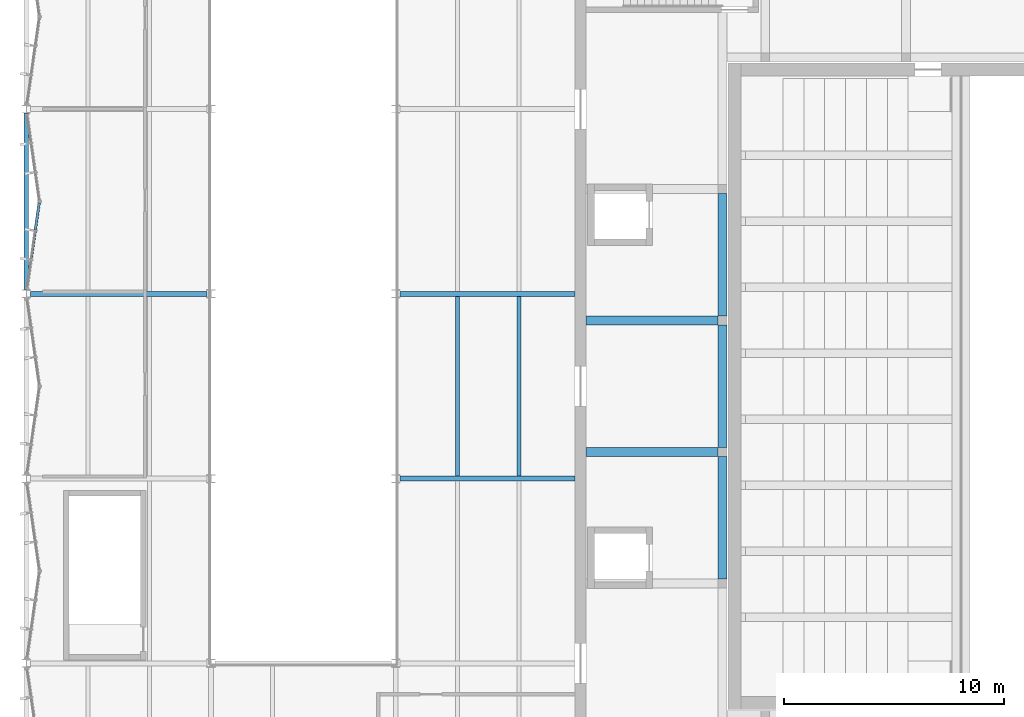
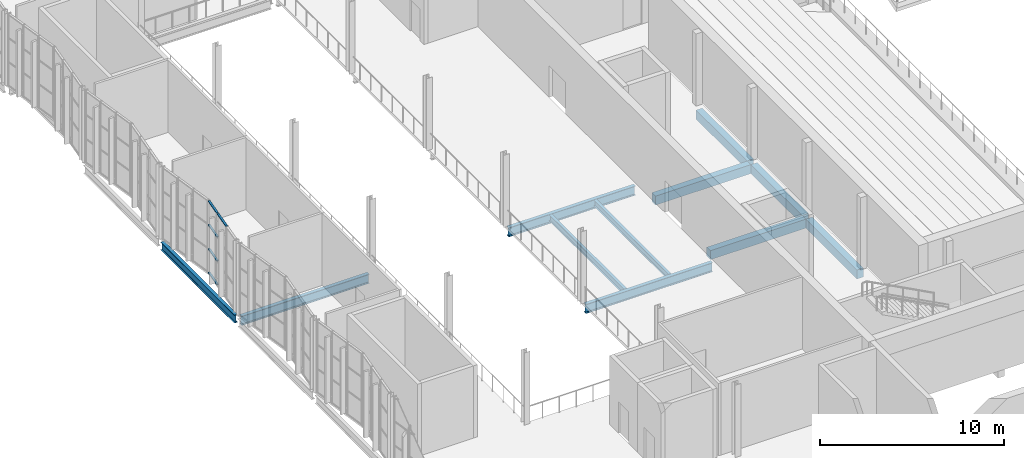
# One storey, part 31 of 116: 11 beams, 5 members, 1 element without a shape of its own.
"""IFC4 building model written with IfcOpenShell, lengths in metres."""

from ifc_helpers import new_model, si_unit, direction, frame, origin, origin_2d, place, context, subcontext, project, spatial, rectangle, i_section, extrude, material, material_profile, profile_set, type_object, element, aggregate, save


model = new_model("IFC4")

# Units and contexts
model_context = context("Model", 3, precision=1e-05, world=origin(), true_north=direction((0.0, 1.0)))
body_context = subcontext(model_context, "Body", "Model", "MODEL_VIEW")
ifc_project = project(units=[si_unit("LENGTHUNIT", "METRE"), si_unit("AREAUNIT", "SQUARE_METRE"), si_unit("VOLUMEUNIT", "CUBIC_METRE"), si_unit("PLANEANGLEUNIT", "RADIAN"), si_unit("MASSUNIT", "GRAM", prefix="KILO")], contexts=[model_context])

# Site, building, storey
site_placement = place(None, origin())
site = spatial("IfcSite", under=ifc_project, at=site_placement, CompositionType="ELEMENT")
building_placement = place(site_placement, origin())
building = spatial("IfcBuilding", under=site, at=building_placement, Name="Ljudholm Concert House", CompositionType="ELEMENT")
storey_placement = place(building_placement, frame((0.0, 0.0, 10.199951171875)))
storey = spatial("IfcBuildingStorey", under=building, at=storey_placement, Name="L02", CompositionType="ELEMENT", Elevation=10.199951171875)

# Beams
ifc_material_1 = material(Name="Concrete 6,500 psi", Category="concrete")
ifc_material_profile_1 = material_profile(ifc_material_1, rectangle(XDim=0.39990234375, YDim=0.60009765625, at=origin_2d()), Name="RC BEAM 400x600")
ifc_profile_set_1 = profile_set([ifc_material_profile_1], Name="Concrete 6,500 psi")
beam_type_1 = type_object("IfcBeamType", Name="RC BEAM 400x600", PredefinedType="BEAM", material=ifc_profile_set_1)
beam_1_placement = place(storey_placement, frame((35.64990234375, 66.6298828125, -0.550048828125), z_axis=(0.0, 1.0, 0.0), x_axis=(-1.0, 0.0, 0.0)))
element("IfcBeam", 1, at=beam_1_placement, inside=storey, type_object=beam_type_1, Name="Ring beam", PredefinedType="BEAM", context=body_context, shape_type="SweptSolid", body=[
    extrude(rectangle(XDim=0.39990234375, YDim=0.60009765625, at=origin_2d()), origin(), (0.0, 0.0, 1.0), 5.580078125),
])
for number, where, z_axis, x_axis, name in (
    (2, (35.64990234375, 72.610107421875, -0.550048828125), (0.0, 1.0, 0.0), (-1.0, 0.0, 0.0), "Ring beam"),
    (3, (35.64990234375, 78.590087890625, -0.550048828125), (0.0, 1.0, 0.0), (-1.0, 0.0, 0.0), "Ring beam"),
):
    element("IfcBeam", number, at=place(storey_placement, frame(where, z_axis=z_axis, x_axis=x_axis)), inside=storey, type_object=beam_type_1, Name=name, PredefinedType="BEAM", context=body_context, shape_type="SweptSolid", body=[
        extrude(rectangle(XDim=0.39990234375, YDim=0.60009765625, at=origin_2d()), origin(), (0.0, 0.0, 1.0), 5.579833984375),
    ])
for number, where, z_axis, x_axis, name in (
    (4, (35.449951171875, 72.409912109375, -0.550048828125), (-1.0, 0.0, 0.0), (0.0, -1.0, 0.0), "Ring cross beam"),
    (5, (35.449951171875, 78.389892578125, -0.550048828125), (-1.0, 0.0, 0.0), (0.0, -1.0, 0.0), "Ring cross beam"),
):
    element("IfcBeam", number, at=place(storey_placement, frame(where, z_axis=z_axis, x_axis=x_axis)), inside=storey, type_object=beam_type_1, Name=name, PredefinedType="BEAM", context=body_context, shape_type="SweptSolid", body=[
        extrude(rectangle(XDim=0.39990234375, YDim=0.60009765625, at=origin_2d()), origin(), (0.0, 0.0, 1.0), 6.0),
    ])
ifc_material_2 = material(Name="Steel ASTM A992", Category="steel")
ifc_material_profile_2 = material_profile(ifc_material_2, i_section(OverallWidth=0.177734375, OverallDepth=0.406494140625, WebThickness=0.0078125, FlangeThickness=0.012939453125, FilletRadius=0.01025390625, at=origin_2d()), Name="W16X40")
ifc_profile_set_2 = profile_set([ifc_material_profile_2], Name="Steel ASTM A992")
beam_type_2 = type_object("IfcBeamType", Name="STEEL BEAM W16X40", PredefinedType="BEAM", material=ifc_profile_set_2)
for number, where, z_axis, x_axis, name in (
    (6, (23.60009765625, 71.314453125, -0.383056640625), (0.0, 1.0, 0.0), (-1.0, 0.0, 0.0), "Secondary beam"),
    (7, (26.39990234375, 71.314453125, -0.383056640625), (0.0, 1.0, 0.0), (-1.0, 0.0, 0.0), "Secondary beam"),
):
    element("IfcBeam", number, at=place(storey_placement, frame(where, z_axis=z_axis, x_axis=x_axis)), inside=storey, type_object=beam_type_2, Name=name, PredefinedType="BEAM", context=body_context, shape_type="SweptSolid", body=[
        extrude(i_section(OverallWidth=0.177734375, OverallDepth=0.406494140625, WebThickness=0.0078125, FlangeThickness=0.012939453125, FilletRadius=0.01025390625, at=origin_2d()), origin(), (0.0, 0.0, 1.0), 8.1708984375),
    ])
ifc_material_3 = material(Name="Steel ASTM A992", Category="steel")
ifc_material_profile_3 = material_profile(ifc_material_3, i_section(OverallWidth=0.209228515625, OverallDepth=0.533447265625, WebThickness=0.01025390625, FlangeThickness=0.015625, FilletRadius=0.012939453125, at=origin_2d()), Name="W21X62")
ifc_profile_set_3 = profile_set([ifc_material_profile_3], Name="Steel ASTM A992")
beam_type_3 = type_object("IfcBeamType", Name="STEEL BEAM W21X62", PredefinedType="BEAM", material=ifc_profile_set_3)
beam_2_placement = place(storey_placement, frame((4.0, 79.78662109375, -0.446533203125), z_axis=(0.0, 1.0, 0.0), x_axis=(-1.0, 0.0, 0.0)))
element("IfcBeam", 8, at=beam_2_placement, inside=storey, type_object=beam_type_3, Name="Floor edge beam", PredefinedType="BEAM", context=body_context, shape_type="SweptSolid", body=[
    extrude(i_section(OverallWidth=0.209228515625, OverallDepth=0.533447265625, WebThickness=0.01025390625, FlangeThickness=0.015625, FilletRadius=0.012939453125, at=origin_2d()), origin(), (0.0, 0.0, 1.0), 8.026611328125),
])
ifc_material_4 = material(Name="Steel ASTM A992", Category="steel")
ifc_material_profile_4 = material_profile(ifc_material_4, i_section(OverallWidth=0.22900390625, OverallDepth=0.612060546875, WebThickness=0.011962890625, FlangeThickness=0.01953125, FilletRadius=0.0126953125, at=origin_2d()), Name="W24X84")
ifc_profile_set_4 = profile_set([ifc_material_profile_4], Name="Steel ASTM A992")
beam_type_4 = type_object("IfcBeamType", Name="STEEL BEAM W24X84", PredefinedType="BEAM", material=ifc_profile_set_4)
beam_3_placement = place(storey_placement, frame((20.986572265625, 71.199951171875, -0.486083984375), z_axis=(1.0, 0.0, 0.0), x_axis=(0.0, 1.0, 0.0)))
element("IfcBeam", 9, at=beam_3_placement, inside=storey, type_object=beam_type_4, Name="Floor girder", PredefinedType="BEAM", context=body_context, shape_type="SweptSolid", body=[
    extrude(i_section(OverallWidth=0.22900390625, OverallDepth=0.612060546875, WebThickness=0.011962890625, FlangeThickness=0.01953125, FilletRadius=0.0126953125, at=origin_2d()), origin(), (0.0, 0.0, 1.0), 7.96337890625),
])
beam_4_placement = place(storey_placement, frame((4.186767578125, 79.60009765625, -0.486083984375), z_axis=(1.0, 0.0, 0.0), x_axis=(0.0, 1.0, 0.0)))
element("IfcBeam", 10, at=beam_4_placement, inside=storey, type_object=beam_type_4, Name="Floor girder", PredefinedType="BEAM", context=body_context, shape_type="SweptSolid", body=[
    extrude(i_section(OverallWidth=0.22900390625, OverallDepth=0.612060546875, WebThickness=0.011962890625, FlangeThickness=0.01953125, FilletRadius=0.0126953125, at=origin_2d()), origin(), (0.0, 0.0, 1.0), 8.026611328125),
])
beam_5_placement = place(storey_placement, frame((20.986572265625, 79.60009765625, -0.486083984375), z_axis=(1.0, 0.0, 0.0), x_axis=(0.0, 1.0, 0.0)))
element("IfcBeam", 11, at=beam_5_placement, inside=storey, type_object=beam_type_4, Name="Floor girder", PredefinedType="BEAM", context=body_context, shape_type="SweptSolid", body=[
    extrude(i_section(OverallWidth=0.22900390625, OverallDepth=0.612060546875, WebThickness=0.011962890625, FlangeThickness=0.01953125, FilletRadius=0.0126953125, at=origin_2d()), origin(), (0.0, 0.0, 1.0), 7.96337890625),
])

# Curtain wall, members
ifc_material_5 = material(Name="Aluminium curtain wall with impact-rated laminated glass", Category="aluminium")
curtain_wall_type = type_object("IfcCurtainWallType", Name="CURTAIN WALL 1400", PredefinedType="NOTDEFINED", material=ifc_material_5)
curtain_wall_placement = place(storey_placement, origin())
curtain_wall = element("IfcCurtainWall", 12, at=curtain_wall_placement, inside=storey, type_object=curtain_wall_type, Name="Facade curtain wall", PredefinedType="NOTDEFINED")
ifc_material_6 = material(Name="Aluminium extrusion", Category="aluminium")
ifc_material_profile_5 = material_profile(ifc_material_6, rectangle(XDim=0.1201171875, YDim=0.06005859375, at=origin_2d()), Name="TRANSOM 60x120")
ifc_profile_set_5 = profile_set([ifc_material_profile_5], Name="Aluminium extrusion")
member_type = type_object("IfcMemberType", Name="TRANSOM 60x120", PredefinedType="USERDEFINED", material=ifc_profile_set_5)
member_1_placement = place(storey_placement, frame((4.22509765625, 81.1748046875, 4.77001953125), z_axis=(0.141421356237, 0.989949493661, 0.0), x_axis=(-0.989949493661, 0.141421356237, 0.0)))
member_1 = element("IfcMember", 13, at=member_1_placement, type_object=member_type, Name="Transom", ObjectType="TRANSOM", PredefinedType="USERDEFINED", context=body_context, shape_type="SweptSolid", body=[
    extrude(rectangle(XDim=0.1201171875, YDim=0.06005859375, at=origin_2d()), origin(), (0.0, 0.0, 1.0), 1.281005859375),
])
member_2_placement = place(storey_placement, frame((4.41455078125, 82.502197265625, 0.030029296875), z_axis=(0.141475995027, 0.989941686581, 0.0), x_axis=(-0.989941686581, 0.141475995027, 0.0)))
member_2 = element("IfcMember", 14, at=member_2_placement, type_object=member_type, Name="Transom", ObjectType="TRANSOM", PredefinedType="USERDEFINED", context=body_context, shape_type="SweptSolid", body=[
    extrude(rectangle(XDim=0.1201171875, YDim=0.06005859375, at=origin_2d()), origin(), (0.0, 0.0, 1.0), 1.251220703125),
])
member_3_placement = place(storey_placement, frame((4.41455078125, 82.502197265625, 1.60009765625), z_axis=(0.141475995027, 0.989941686581, 0.0), x_axis=(-0.989941686581, 0.141475995027, 0.0)))
member_3 = element("IfcMember", 15, at=member_3_placement, type_object=member_type, Name="Transom", ObjectType="TRANSOM", PredefinedType="USERDEFINED", context=body_context, shape_type="SweptSolid", body=[
    extrude(rectangle(XDim=0.1201171875, YDim=0.06005859375, at=origin_2d()), origin(), (0.0, 0.0, 1.0), 1.251220703125),
])
member_4_placement = place(storey_placement, frame((4.41455078125, 82.502197265625, 3.199951171875), z_axis=(0.141475995027, 0.989941686581, 0.0), x_axis=(-0.989941686581, 0.141475995027, 0.0)))
member_4 = element("IfcMember", 16, at=member_4_placement, type_object=member_type, Name="Transom", ObjectType="TRANSOM", PredefinedType="USERDEFINED", context=body_context, shape_type="SweptSolid", body=[
    extrude(rectangle(XDim=0.1201171875, YDim=0.06005859375, at=origin_2d()), origin(), (0.0, 0.0, 1.0), 1.251220703125),
])
member_5_placement = place(storey_placement, frame((4.41455078125, 82.502197265625, 4.77001953125), z_axis=(0.141475995027, 0.989941686581, 0.0), x_axis=(-0.989941686581, 0.141475995027, 0.0)))
member_5 = element("IfcMember", 17, at=member_5_placement, type_object=member_type, Name="Transom", ObjectType="TRANSOM", PredefinedType="USERDEFINED", context=body_context, shape_type="SweptSolid", body=[
    extrude(rectangle(XDim=0.1201171875, YDim=0.06005859375, at=origin_2d()), origin(), (0.0, 0.0, 1.0), 1.251220703125),
])
aggregate(curtain_wall, [member_1, member_2, member_3, member_4, member_5])

save(model, "model.ifc")
